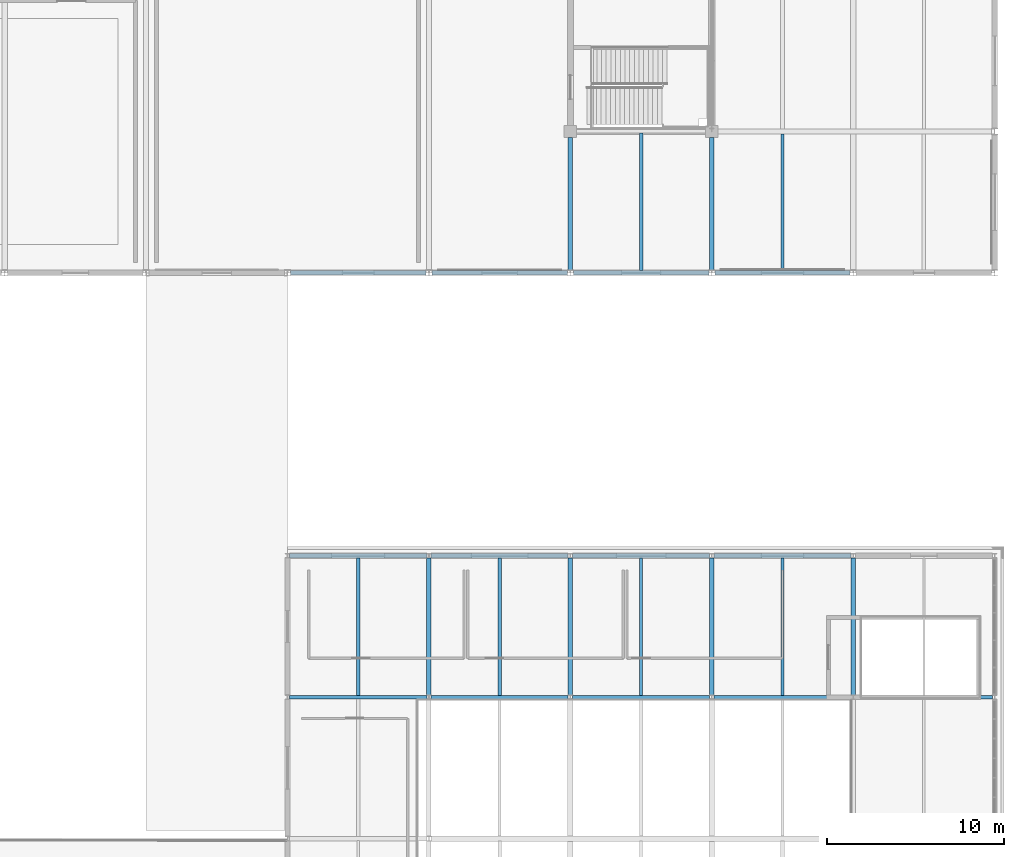
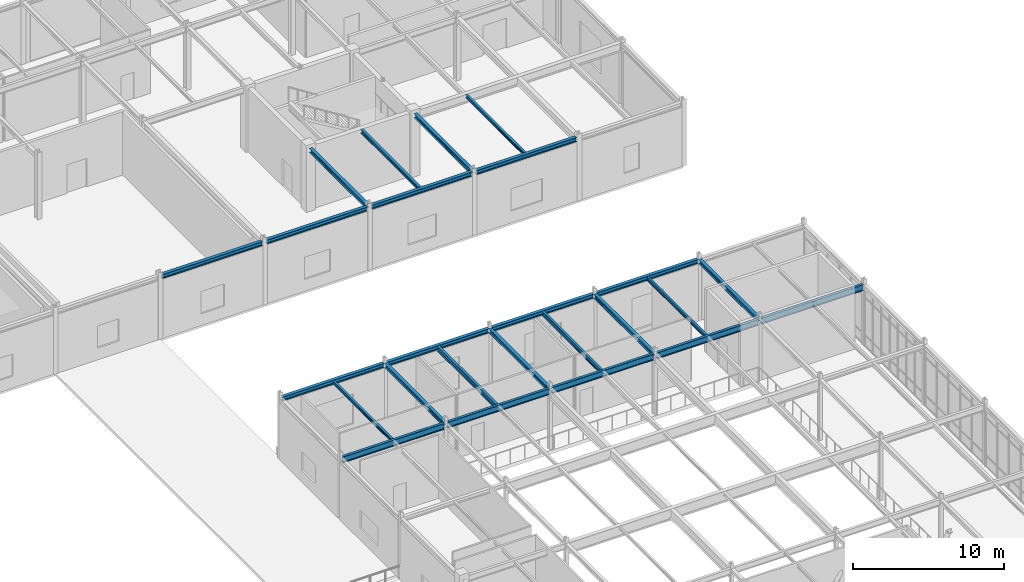
# One storey, part 55 of 108: 25 beams.
"""IFC4 building model written with IfcOpenShell, lengths in metres."""

from ifc_helpers import new_model, si_unit, direction, frame, origin, origin_2d, place, context, subcontext, project, spatial, i_section, extrude, material, material_profile, profile_set, type_object, element, save


model = new_model("IFC4")

# Units and contexts
model_context = context("Model", 3, precision=1e-05, world=origin(), true_north=direction((0.0, 1.0)))
body_context = subcontext(model_context, "Body", "Model", "MODEL_VIEW")
ifc_project = project(units=[si_unit("LENGTHUNIT", "METRE"), si_unit("AREAUNIT", "SQUARE_METRE"), si_unit("VOLUMEUNIT", "CUBIC_METRE"), si_unit("PLANEANGLEUNIT", "RADIAN"), si_unit("MASSUNIT", "GRAM", prefix="KILO")], contexts=[model_context])

# Site, building, storey
site_placement = place(None, origin())
site = spatial("IfcSite", under=ifc_project, at=site_placement, CompositionType="ELEMENT")
building_placement = place(site_placement, origin())
building = spatial("IfcBuilding", under=site, at=building_placement, Name="Zhaolan Boulevard Law Courts", CompositionType="ELEMENT")
storey_placement = place(building_placement, frame((0.0, 0.0, 10.800048828125)))
storey = spatial("IfcBuildingStorey", under=building, at=storey_placement, Name="L02", CompositionType="ELEMENT", Elevation=10.800048828125)

# Beams
ifc_material_1 = material(Name="Structural steel Q355B", Category="steel")
ifc_material_profile_1 = material_profile(ifc_material_1, i_section(OverallWidth=0.25, OverallDepth=0.340087890625, WebThickness=0.009033203125, FlangeThickness=0.013916015625, FilletRadius=0.01611328125, at=origin_2d()), Name="HM340x250")
ifc_profile_set_1 = profile_set([ifc_material_profile_1], Name="Structural steel Q355B")
beam_type_1 = type_object("IfcBeamType", Name="GIRDER HM340", PredefinedType="BEAM", material=ifc_profile_set_1)
for number, where, z_axis, x_axis, name in (
    (1, (132.0, 38.12109375, 4.787841796875), (0.0, 1.0, 0.0), (-1.0, 0.0, 0.0), "Beam BY-L03-17-F-G"),
    (2, (140.0, 38.12109375, 4.787841796875), (0.0, 1.0, 0.0), (-1.0, 0.0, 0.0), "Beam BY-L03-18-F-G"),
):
    element("IfcBeam", number, at=place(storey_placement, frame(where, z_axis=z_axis, x_axis=x_axis)), inside=storey, type_object=beam_type_1, Name=name, PredefinedType="BEAM", context=body_context, shape_type="SweptSolid", body=[
        extrude(i_section(OverallWidth=0.25, OverallDepth=0.340087890625, WebThickness=0.009033203125, FlangeThickness=0.013916015625, FilletRadius=0.01611328125, at=origin_2d()), origin(), (0.0, 0.0, 1.0), 7.7578125),
    ])
beam_1_placement = place(storey_placement, frame((140.0, 62.1708984375, 4.947998046875), z_axis=(0.0, 1.0, 0.0), x_axis=(-1.0, 0.0, 0.0)))
element("IfcBeam", 3, at=beam_1_placement, inside=storey, type_object=beam_type_1, Name="Beam BY-L03-18-J-K", PredefinedType="BEAM", context=body_context, shape_type="SweptSolid", body=[
    extrude(i_section(OverallWidth=0.25, OverallDepth=0.340087890625, WebThickness=0.009033203125, FlangeThickness=0.013916015625, FilletRadius=0.01611328125, at=origin_2d()), origin(), (0.0, 0.0, 1.0), 7.483154296875),
])
beam_2_placement = place(storey_placement, frame((148.0, 38.12109375, 4.787841796875), z_axis=(0.0, 1.0, 0.0), x_axis=(-1.0, 0.0, 0.0)))
element("IfcBeam", 4, at=beam_2_placement, inside=storey, type_object=beam_type_1, Name="Beam BY-L03-19-F-G", PredefinedType="BEAM", context=body_context, shape_type="SweptSolid", body=[
    extrude(i_section(OverallWidth=0.25, OverallDepth=0.340087890625, WebThickness=0.009033203125, FlangeThickness=0.013916015625, FilletRadius=0.01611328125, at=origin_2d()), origin(), (0.0, 0.0, 1.0), 7.7578125),
])
beam_3_placement = place(storey_placement, frame((148.0, 62.1708984375, 4.947998046875), z_axis=(0.0, 1.0, 0.0), x_axis=(-1.0, 0.0, 0.0)))
element("IfcBeam", 5, at=beam_3_placement, inside=storey, type_object=beam_type_1, Name="Beam BY-L03-19-J-K", PredefinedType="BEAM", context=body_context, shape_type="SweptSolid", body=[
    extrude(i_section(OverallWidth=0.25, OverallDepth=0.340087890625, WebThickness=0.009033203125, FlangeThickness=0.013916015625, FilletRadius=0.01611328125, at=origin_2d()), origin(), (0.0, 0.0, 1.0), 7.483154296875),
])
beam_4_placement = place(storey_placement, frame((156.0, 38.12109375, 4.787841796875), z_axis=(0.0, 1.0, 0.0), x_axis=(-1.0, 0.0, 0.0)))
element("IfcBeam", 6, at=beam_4_placement, inside=storey, type_object=beam_type_1, Name="Beam BY-L03-20-F-G", PredefinedType="BEAM", context=body_context, shape_type="SweptSolid", body=[
    extrude(i_section(OverallWidth=0.25, OverallDepth=0.340087890625, WebThickness=0.009033203125, FlangeThickness=0.013916015625, FilletRadius=0.01611328125, at=origin_2d()), origin(), (0.0, 0.0, 1.0), 7.7578125),
])
ifc_material_2 = material(Name="Structural steel Q355B", Category="steel")
ifc_material_profile_2 = material_profile(ifc_material_2, i_section(OverallWidth=0.199951171875, OverallDepth=0.5, WebThickness=0.010009765625, FlangeThickness=0.01611328125, FilletRadius=0.01806640625, at=origin_2d()), Name="HN500x200")
ifc_profile_set_2 = profile_set([ifc_material_profile_2], Name="Structural steel Q355B")
beam_type_2 = type_object("IfcBeamType", Name="GIRDER HN500", PredefinedType="BEAM", material=ifc_profile_set_2)
for number, where, z_axis, x_axis, name in (
    (7, (124.12109375, 38.0, 4.7080078125), (1.0, 0.0, 0.0), (0.0, 1.0, 0.0), "Beam BX-L03-16-17-F"),
    (8, (132.12109375, 38.0, 4.7080078125), (1.0, 0.0, 0.0), (0.0, 1.0, 0.0), "Beam BX-L03-17-18-F"),
    (9, (140.12109375, 38.0, 4.7080078125), (1.0, 0.0, 0.0), (0.0, 1.0, 0.0), "Beam BX-L03-18-19-F"),
    (10, (148.12109375, 38.0, 4.7080078125), (1.0, 0.0, 0.0), (0.0, 1.0, 0.0), "Beam BX-L03-19-20-F"),
    (11, (156.12109375, 38.0, 4.7080078125), (1.0, 0.0, 0.0), (0.0, 1.0, 0.0), "Beam BX-L03-20-21-F"),
):
    element("IfcBeam", number, at=place(storey_placement, frame(where, z_axis=z_axis, x_axis=x_axis)), inside=storey, type_object=beam_type_2, Name=name, PredefinedType="BEAM", context=body_context, shape_type="SweptSolid", body=[
        extrude(i_section(OverallWidth=0.199951171875, OverallDepth=0.5, WebThickness=0.010009765625, FlangeThickness=0.01611328125, FilletRadius=0.01806640625, at=origin_2d()), origin(), (0.0, 0.0, 1.0), 7.7578125),
    ])
ifc_material_3 = material(Name="Structural steel Q355B", Category="steel")
ifc_material_profile_3 = material_profile(ifc_material_3, i_section(OverallWidth=0.175048828125, OverallDepth=0.243896484375, WebThickness=0.007080078125, FlangeThickness=0.010986328125, FilletRadius=0.012939453125, at=origin_2d()), Name="HM244x175")
ifc_profile_set_3 = profile_set([ifc_material_profile_3], Name="Structural steel Q355B")
beam_type_3 = type_object("IfcBeamType", Name="JOIST HM244", PredefinedType="JOIST", material=ifc_profile_set_3)
beam_5_placement = place(storey_placement, frame((128.0, 38.095947265625, 4.8359375), z_axis=(0.0, 1.0, 0.0), x_axis=(-1.0, 0.0, 0.0)))
element("IfcBeam", 12, at=beam_5_placement, inside=storey, type_object=beam_type_3, Name="Composite Joist J-L03-16F", PredefinedType="JOIST", context=body_context, shape_type="SweptSolid", body=[
    extrude(i_section(OverallWidth=0.175048828125, OverallDepth=0.243896484375, WebThickness=0.007080078125, FlangeThickness=0.010986328125, FilletRadius=0.012939453125, at=origin_2d()), origin(), (0.0, 0.0, 1.0), 7.782958984375),
])
beam_6_placement = place(storey_placement, frame((152.0, 62.12109375, 4.995849609375), z_axis=(0.0, 1.0, 0.0), x_axis=(-1.0, 0.0, 0.0)))
element("IfcBeam", 13, at=beam_6_placement, inside=storey, type_object=beam_type_3, Name="Composite Joist J-L03-19J", PredefinedType="JOIST", context=body_context, shape_type="SweptSolid", body=[
    extrude(i_section(OverallWidth=0.175048828125, OverallDepth=0.243896484375, WebThickness=0.007080078125, FlangeThickness=0.010986328125, FilletRadius=0.012939453125, at=origin_2d()), origin(), (0.0, 0.0, 1.0), 7.73291015625),
])
ifc_material_4 = material(Name="Structural steel Q355B", Category="steel")
ifc_material_profile_4 = material_profile(ifc_material_4, i_section(OverallWidth=0.199951171875, OverallDepth=0.2939453125, WebThickness=0.008056640625, FlangeThickness=0.011962890625, FilletRadius=0.01611328125, at=origin_2d()), Name="HM294x200")
ifc_profile_set_4 = profile_set([ifc_material_profile_4], Name="Structural steel Q355B")
beam_type_4 = type_object("IfcBeamType", Name="JOIST HM294", PredefinedType="JOIST", material=ifc_profile_set_4)
beam_7_placement = place(storey_placement, frame((144.0, 62.12109375, 4.970947265625), z_axis=(0.0, 1.0, 0.0), x_axis=(-1.0, 0.0, 0.0)))
element("IfcBeam", 14, at=beam_7_placement, inside=storey, type_object=beam_type_4, Name="Composite Joist J-L03-18J", PredefinedType="JOIST", context=body_context, shape_type="SweptSolid", body=[
    extrude(i_section(OverallWidth=0.199951171875, OverallDepth=0.2939453125, WebThickness=0.008056640625, FlangeThickness=0.011962890625, FilletRadius=0.01611328125, at=origin_2d()), origin(), (0.0, 0.0, 1.0), 7.782958984375),
])
ifc_material_5 = material(Name="Structural steel Q355B", Category="steel")
ifc_material_profile_5 = material_profile(ifc_material_5, i_section(OverallWidth=0.14990234375, OverallDepth=0.300048828125, WebThickness=0.006591796875, FlangeThickness=0.009033203125, FilletRadius=0.010986328125, at=origin_2d()), Name="HN300x150")
ifc_profile_set_5 = profile_set([ifc_material_profile_5], Name="Structural steel Q355B")
beam_type_5 = type_object("IfcBeamType", Name="JOIST HN300", PredefinedType="JOIST", material=ifc_profile_set_5)
beam_8_placement = place(storey_placement, frame((152.0, 38.095947265625, 4.807861328125), z_axis=(0.0, 1.0, 0.0), x_axis=(-1.0, 0.0, 0.0)))
element("IfcBeam", 15, at=beam_8_placement, inside=storey, type_object=beam_type_5, Name="Composite Joist J-L03-19F", PredefinedType="JOIST", context=body_context, shape_type="SweptSolid", body=[
    extrude(i_section(OverallWidth=0.14990234375, OverallDepth=0.300048828125, WebThickness=0.006591796875, FlangeThickness=0.009033203125, FilletRadius=0.010986328125, at=origin_2d()), origin(), (0.0, 0.0, 1.0), 7.782958984375),
])
ifc_material_6 = material(Name="Structural steel Q355B", Category="steel")
ifc_material_profile_6 = material_profile(ifc_material_6, i_section(OverallWidth=0.175048828125, OverallDepth=0.35009765625, WebThickness=0.007080078125, FlangeThickness=0.010986328125, FilletRadius=0.012939453125, at=origin_2d()), Name="HN350x175")
ifc_profile_set_6 = profile_set([ifc_material_profile_6], Name="Structural steel Q355B")
beam_type_6 = type_object("IfcBeamType", Name="JOIST HN350", PredefinedType="JOIST", material=ifc_profile_set_6)
beam_9_placement = place(storey_placement, frame((144.0, 38.095947265625, 4.782958984375), z_axis=(0.0, 1.0, 0.0), x_axis=(-1.0, 0.0, 0.0)))
element("IfcBeam", 16, at=beam_9_placement, inside=storey, type_object=beam_type_6, Name="Composite Joist J-L03-18F", PredefinedType="JOIST", context=body_context, shape_type="SweptSolid", body=[
    extrude(i_section(OverallWidth=0.175048828125, OverallDepth=0.35009765625, WebThickness=0.007080078125, FlangeThickness=0.010986328125, FilletRadius=0.012939453125, at=origin_2d()), origin(), (0.0, 0.0, 1.0), 7.782958984375),
])
ifc_material_7 = material(Name="Structural steel Q355B", Category="steel")
ifc_material_profile_7 = material_profile(ifc_material_7, i_section(OverallWidth=0.199951171875, OverallDepth=0.39990234375, WebThickness=0.008056640625, FlangeThickness=0.012939453125, FilletRadius=0.013916015625, at=origin_2d()), Name="HN400x200")
ifc_profile_set_7 = profile_set([ifc_material_profile_7], Name="Structural steel Q355B")
beam_type_7 = type_object("IfcBeamType", Name="JOIST HN400", PredefinedType="JOIST", material=ifc_profile_set_7)
beam_10_placement = place(storey_placement, frame((136.0, 38.095947265625, 4.758056640625), z_axis=(0.0, 1.0, 0.0), x_axis=(-1.0, 0.0, 0.0)))
element("IfcBeam", 17, at=beam_10_placement, inside=storey, type_object=beam_type_7, Name="Composite Joist J-L03-17F", PredefinedType="JOIST", context=body_context, shape_type="SweptSolid", body=[
    extrude(i_section(OverallWidth=0.199951171875, OverallDepth=0.39990234375, WebThickness=0.008056640625, FlangeThickness=0.012939453125, FilletRadius=0.013916015625, at=origin_2d()), origin(), (0.0, 0.0, 1.0), 7.782958984375),
])
ifc_material_8 = material(Name="Structural steel Q355B", Category="steel")
ifc_material_profile_8 = material_profile(ifc_material_8, i_section(OverallWidth=0.25, OverallDepth=0.340087890625, WebThickness=0.009033203125, FlangeThickness=0.013916015625, FilletRadius=0.01611328125, at=origin_2d()), Name="HM340x250")
ifc_profile_set_8 = profile_set([ifc_material_profile_8], Name="Structural steel Q355B")
beam_type_8 = type_object("IfcBeamType", Name="SPANDREL HM340", PredefinedType="SPANDREL", material=ifc_profile_set_8)
for number, where, z_axis, x_axis, name in (
    (18, (124.12109375, 46.0, 4.787841796875), (1.0, 0.0, 0.0), (0.0, 1.0, 0.0), "Beam BX-L03-16-17-G"),
    (19, (132.12109375, 46.0, 4.787841796875), (1.0, 0.0, 0.0), (0.0, 1.0, 0.0), "Beam BX-L03-17-18-G"),
    (20, (140.12109375, 46.0, 4.787841796875), (1.0, 0.0, 0.0), (0.0, 1.0, 0.0), "Beam BX-L03-18-19-G"),
    (21, (148.12109375, 46.0, 4.787841796875), (1.0, 0.0, 0.0), (0.0, 1.0, 0.0), "Beam BX-L03-19-20-G"),
):
    element("IfcBeam", number, at=place(storey_placement, frame(where, z_axis=z_axis, x_axis=x_axis)), inside=storey, type_object=beam_type_8, Name=name, PredefinedType="SPANDREL", context=body_context, shape_type="SweptSolid", body=[
        extrude(i_section(OverallWidth=0.25, OverallDepth=0.340087890625, WebThickness=0.009033203125, FlangeThickness=0.013916015625, FilletRadius=0.01611328125, at=origin_2d()), origin(), (0.0, 0.0, 1.0), 7.7578125),
    ])
for number, where, z_axis, x_axis, name in (
    (22, (124.1708984375, 62.0, 4.947998046875), (1.0, 0.0, 0.0), (0.0, 1.0, 0.0), "Beam BX-L03-16-17-J"),
    (23, (132.1708984375, 62.0, 4.947998046875), (1.0, 0.0, 0.0), (0.0, 1.0, 0.0), "Beam BX-L03-17-18-J"),
    (24, (140.1708984375, 62.0, 4.947998046875), (1.0, 0.0, 0.0), (0.0, 1.0, 0.0), "Beam BX-L03-18-19-J"),
    (25, (148.1708984375, 62.0, 4.947998046875), (1.0, 0.0, 0.0), (0.0, 1.0, 0.0), "Beam BX-L03-19-20-J"),
):
    element("IfcBeam", number, at=place(storey_placement, frame(where, z_axis=z_axis, x_axis=x_axis)), inside=storey, type_object=beam_type_8, Name=name, PredefinedType="SPANDREL", context=body_context, shape_type="SweptSolid", body=[
        extrude(i_section(OverallWidth=0.25, OverallDepth=0.340087890625, WebThickness=0.009033203125, FlangeThickness=0.013916015625, FilletRadius=0.01611328125, at=origin_2d()), origin(), (0.0, 0.0, 1.0), 7.658203125),
    ])

save(model, "model.ifc")
